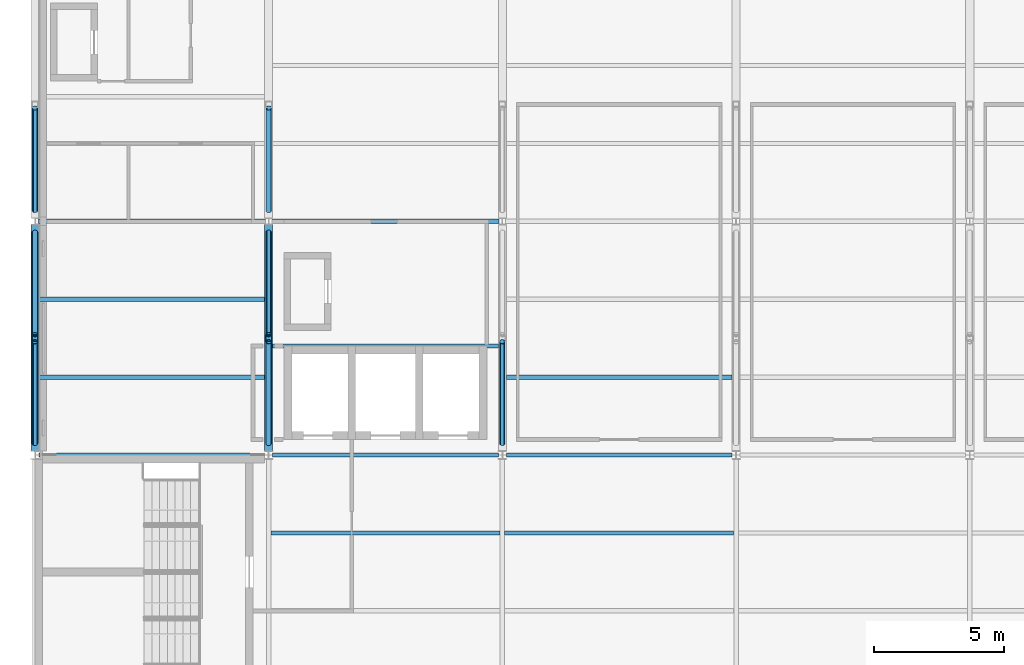
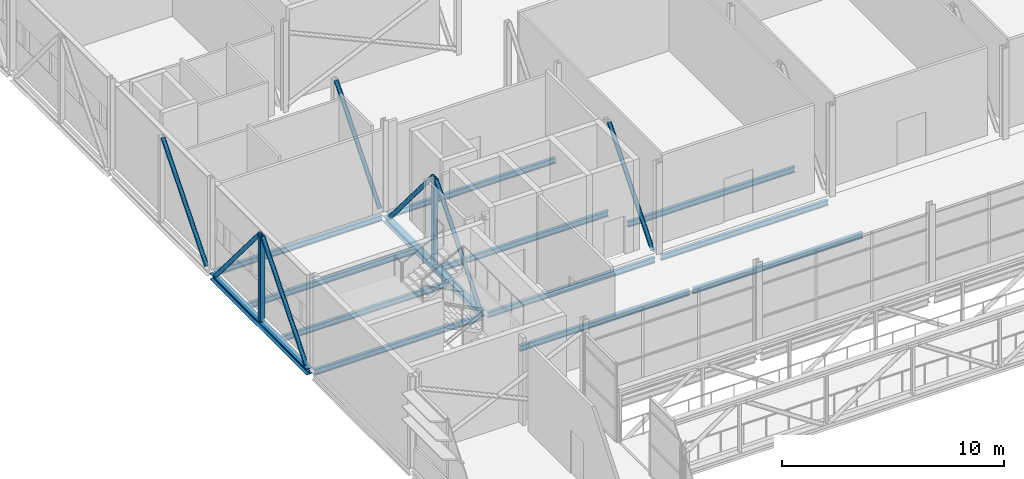
# One storey, part 55 of 94: 13 beams, 9 members.
"""IFC4 building model written with IfcOpenShell, lengths in metres."""

from ifc_helpers import new_model, si_unit, direction, frame, origin, origin_2d, place, context, subcontext, project, spatial, hollow_rectangle, hollow_circle, i_section, extrude, material, material_profile, profile_set, type_object, element, save


model = new_model("IFC4")

# Units and contexts
model_context = context("Model", 3, precision=1e-05, world=origin(), true_north=direction((0.0, 1.0)))
body_context = subcontext(model_context, "Body", "Model", "MODEL_VIEW")
ifc_project = project(units=[si_unit("LENGTHUNIT", "METRE"), si_unit("AREAUNIT", "SQUARE_METRE"), si_unit("VOLUMEUNIT", "CUBIC_METRE"), si_unit("PLANEANGLEUNIT", "RADIAN"), si_unit("MASSUNIT", "GRAM", prefix="KILO")], contexts=[model_context])

# Site, building, storey
site_placement = place(None, origin())
site = spatial("IfcSite", under=ifc_project, at=site_placement, CompositionType="ELEMENT")
building_placement = place(site_placement, origin())
building = spatial("IfcBuilding", under=site, at=building_placement, Name="Shorebreak Coast Museum", CompositionType="ELEMENT")
storey_placement = place(building_placement, frame((0.0, 0.0, 31.0)))
storey = spatial("IfcBuildingStorey", under=building, at=storey_placement, Name="L05", CompositionType="ELEMENT", Elevation=31.0)

# Beams
ifc_material_1 = material(Name="Steel Grade 300", Category="steel")
ifc_material_profile_1 = material_profile(ifc_material_1, i_section(OverallWidth=0.166015625, OverallDepth=0.30712890625, WebThickness=0.006591796875, FlangeThickness=0.01171875, FilletRadius=0.011474609375, at=origin_2d()), Name="310UB46.2")
ifc_profile_set_1 = profile_set([ifc_material_profile_1], Name="Steel Grade 300")
beam_type_1 = type_object("IfcBeamType", Name="Floor girder east-west 310UB46.2", PredefinedType="BEAM", material=ifc_profile_set_1)
for number, where, z_axis, x_axis, name in (
    (1, (54.155517578125, 90.0, -0.32861328125), (1.0, 0.0, 0.0), (0.0, 1.0, 0.0), "Floor girder east-west L05 7L"),
    (2, (63.155517578125, 90.0, -0.32861328125), (1.0, 0.0, 0.0), (0.0, 1.0, 0.0), "Floor girder east-west L05 8L"),
    (3, (72.155517578125, 90.0, -0.32861328125), (1.0, 0.0, 0.0), (0.0, 1.0, 0.0), "Floor girder east-west L05 9L"),
):
    element("IfcBeam", number, at=place(storey_placement, frame(where, z_axis=z_axis, x_axis=x_axis)), inside=storey, type_object=beam_type_1, Name=name, PredefinedType="BEAM", context=body_context, shape_type="SweptSolid", body=[
        extrude(i_section(OverallWidth=0.166015625, OverallDepth=0.30712890625, WebThickness=0.006591796875, FlangeThickness=0.01171875, FilletRadius=0.011474609375, at=origin_2d()), origin(), (0.0, 0.0, 1.0), 8.68896484375),
    ])
for number, where, z_axis, x_axis, name in (
    (4, (54.1279296875, 99.0, -0.32861328125), (1.0, 0.0, 0.0), (0.0, 1.0, 0.0), "Floor girder east-west L05 7M"),
    (5, (63.1279296875, 99.0, -0.32861328125), (1.0, 0.0, 0.0), (0.0, 1.0, 0.0), "Floor girder east-west L05 8M"),
):
    element("IfcBeam", number, at=place(storey_placement, frame(where, z_axis=z_axis, x_axis=x_axis)), inside=storey, type_object=beam_type_1, Name=name, PredefinedType="BEAM", context=body_context, shape_type="SweptSolid", body=[
        extrude(i_section(OverallWidth=0.166015625, OverallDepth=0.30712890625, WebThickness=0.006591796875, FlangeThickness=0.01171875, FilletRadius=0.011474609375, at=origin_2d()), origin(), (0.0, 0.0, 1.0), 8.744140625),
    ])
ifc_material_2 = material(Name="Steel Grade 300", Category="steel")
ifc_material_profile_2 = material_profile(ifc_material_2, i_section(OverallWidth=0.1650390625, OverallDepth=0.303955078125, WebThickness=0.006103515625, FlangeThickness=0.01025390625, FilletRadius=0.011474609375, at=origin_2d()), Name="310UB40.4")
ifc_profile_set_2 = profile_set([ifc_material_profile_2], Name="Steel Grade 300")
beam_type_2 = type_object("IfcBeamType", Name="Floor joist 310UB40.4", PredefinedType="JOIST", material=ifc_profile_set_2)
for number, where, z_axis, x_axis, name in (
    (6, (63.089111328125, 87.0, -0.326904296875), (1.0, 0.0, 0.0), (0.0, 1.0, 0.0), "Floor joist L05 bay 8K at 6000 mm"),
    (7, (72.089111328125, 87.0, -0.326904296875), (1.0, 0.0, 0.0), (0.0, 1.0, 0.0), "Floor joist L05 bay 9K at 6000 mm"),
):
    element("IfcBeam", number, at=place(storey_placement, frame(where, z_axis=z_axis, x_axis=x_axis)), inside=storey, type_object=beam_type_2, Name=name, PredefinedType="JOIST", context=body_context, shape_type="SweptSolid", body=[
        extrude(i_section(OverallWidth=0.1650390625, OverallDepth=0.303955078125, WebThickness=0.006103515625, FlangeThickness=0.01025390625, FilletRadius=0.011474609375, at=origin_2d()), origin(), (0.0, 0.0, 1.0), 8.82177734375),
    ])
for number, where, z_axis, x_axis, name in (
    (8, (54.155517578125, 93.0, -0.326904296875), (1.0, 0.0, 0.0), (0.0, 1.0, 0.0), "Floor joist L05 bay 7L at 3000 mm"),
    (9, (54.155517578125, 96.0, -0.326904296875), (1.0, 0.0, 0.0), (0.0, 1.0, 0.0), "Floor joist L05 bay 7L at 6000 mm"),
    (10, (63.155517578125, 94.199951171875, -0.326904296875), (1.0, 0.0, 0.0), (0.0, 1.0, 0.0), "Floor joist L05 bay 8L at 4200 mm"),
    (11, (72.155517578125, 93.0, -0.326904296875), (1.0, 0.0, 0.0), (0.0, 1.0, 0.0), "Floor joist L05 bay 9L at 3000 mm"),
):
    element("IfcBeam", number, at=place(storey_placement, frame(where, z_axis=z_axis, x_axis=x_axis)), inside=storey, type_object=beam_type_2, Name=name, PredefinedType="JOIST", context=body_context, shape_type="SweptSolid", body=[
        extrude(i_section(OverallWidth=0.1650390625, OverallDepth=0.303955078125, WebThickness=0.006103515625, FlangeThickness=0.01025390625, FilletRadius=0.011474609375, at=origin_2d()), origin(), (0.0, 0.0, 1.0), 8.68896484375),
    ])
ifc_material_3 = material(Name="Steel Grade 300", Category="steel")
ifc_material_profile_3 = material_profile(ifc_material_3, i_section(OverallWidth=0.31103515625, OverallDepth=0.3271484375, WebThickness=0.015625, FlangeThickness=0.02490234375, FilletRadius=0.0166015625, at=origin_2d()), Name="310UC158")
ifc_profile_set_3 = profile_set([ifc_material_profile_3], Name="Steel Grade 300")
beam_type_3 = type_object("IfcBeamType", Name="Transfer truss chord 310UC158", PredefinedType="BEAM", material=ifc_profile_set_3)
for number, where, z_axis, x_axis, name in (
    (12, (54.0, 90.16357421875, -0.338623046875), (0.0, 1.0, 0.0), (-1.0, 0.0, 0.0), "Transfer truss TR1 chord C01"),
    (13, (63.0, 90.16357421875, -0.338623046875), (0.0, 1.0, 0.0), (-1.0, 0.0, 0.0), "Transfer truss TR2 chord C01"),
):
    element("IfcBeam", number, at=place(storey_placement, frame(where, z_axis=z_axis, x_axis=x_axis)), inside=storey, type_object=beam_type_3, Name=name, PredefinedType="BEAM", context=body_context, shape_type="SweptSolid", body=[
        extrude(i_section(OverallWidth=0.31103515625, OverallDepth=0.3271484375, WebThickness=0.015625, FlangeThickness=0.02490234375, FilletRadius=0.0166015625, at=origin_2d()), origin(), (0.0, 0.0, 1.0), 8.70654296875),
    ])

# Members
ifc_material_4 = material(Name="Steel Grade C350L0", Category="steel")
ifc_material_profile_4 = material_profile(ifc_material_4, hollow_circle(Radius=0.109619140625, WallThickness=0.00830078125, at=origin_2d()), Name="219.1x8.2 CHS")
ifc_profile_set_4 = profile_set([ifc_material_profile_4], Name="Steel Grade C350L0")
member_type_1 = type_object("IfcMemberType", Name="Transfer truss diagonal 219.1x8.2 CHS", PredefinedType="BRACE", material=ifc_profile_set_4)
member_1_placement = place(storey_placement, frame((54.0, 90.450439453125, -0.175048828125), z_axis=(0.0, 0.641729837353, 0.76693077644), x_axis=(-1.0, 0.0, 0.0)))
element("IfcMember", 14, at=member_1_placement, inside=storey, type_object=member_type_1, Name="Transfer truss TR1 diagonal D01", PredefinedType="BRACE", context=body_context, shape_type="SweptSolid", body=[
    extrude(hollow_circle(Radius=0.109619140625, WallThickness=0.00830078125, at=origin_2d()), origin(), (0.0, 0.0, 1.0), 6.1015625),
])
for number, where, z_axis, x_axis, name in (
    (15, (54.0, 98.58203125, -0.175048828125), (0.0, -0.644727508452, 0.764412480174), (1.0, 0.0, 0.0), "Transfer truss TR1 diagonal D02"),
    (16, (54.0, 99.41796875, -0.175048828125), (0.0, 0.644727508452, 0.764412480174), (-1.0, 0.0, 0.0), "Transfer truss TR1 diagonal D03"),
):
    element("IfcMember", number, at=place(storey_placement, frame(where, z_axis=z_axis, x_axis=x_axis)), inside=storey, type_object=member_type_1, Name=name, PredefinedType="BRACE", context=body_context, shape_type="SweptSolid", body=[
        extrude(hollow_circle(Radius=0.109619140625, WallThickness=0.00830078125, at=origin_2d()), origin(), (0.0, 0.0, 1.0), 6.12158203125),
    ])
member_2_placement = place(storey_placement, frame((63.0, 90.450439453125, -0.175048828125), z_axis=(0.0, 0.641729837353, 0.76693077644), x_axis=(-1.0, 0.0, 0.0)))
element("IfcMember", 17, at=member_2_placement, inside=storey, type_object=member_type_1, Name="Transfer truss TR2 diagonal D01", PredefinedType="BRACE", context=body_context, shape_type="SweptSolid", body=[
    extrude(hollow_circle(Radius=0.109619140625, WallThickness=0.00830078125, at=origin_2d()), origin(), (0.0, 0.0, 1.0), 6.1015625),
])
for number, where, z_axis, x_axis, name in (
    (18, (63.0, 98.58203125, -0.175048828125), (0.0, -0.644727508452, 0.764412480174), (1.0, 0.0, 0.0), "Transfer truss TR2 diagonal D02"),
    (19, (63.0, 99.41796875, -0.175048828125), (0.0, 0.644727508452, 0.764412480174), (-1.0, 0.0, 0.0), "Transfer truss TR2 diagonal D03"),
):
    element("IfcMember", number, at=place(storey_placement, frame(where, z_axis=z_axis, x_axis=x_axis)), inside=storey, type_object=member_type_1, Name=name, PredefinedType="BRACE", context=body_context, shape_type="SweptSolid", body=[
        extrude(hollow_circle(Radius=0.109619140625, WallThickness=0.00830078125, at=origin_2d()), origin(), (0.0, 0.0, 1.0), 6.12158203125),
    ])
member_3_placement = place(storey_placement, frame((72.0, 90.450439453125, -0.175048828125), z_axis=(0.0, 0.641729837353, 0.76693077644), x_axis=(-1.0, 0.0, 0.0)))
element("IfcMember", 20, at=member_3_placement, inside=storey, type_object=member_type_1, Name="Transfer truss TR3 diagonal D01", PredefinedType="BRACE", context=body_context, shape_type="SweptSolid", body=[
    extrude(hollow_circle(Radius=0.109619140625, WallThickness=0.00830078125, at=origin_2d()), origin(), (0.0, 0.0, 1.0), 6.1015625),
])
ifc_material_5 = material(Name="Steel Grade C450L0", Category="steel")
ifc_material_profile_5 = material_profile(ifc_material_5, hollow_rectangle(XDim=0.25, YDim=0.25, WallThickness=0.012451171875, InnerFilletRadius=0.018798828125, OuterFilletRadius=0.03125, at=origin_2d()), Name="250x250x12.5 SHS")
ifc_profile_set_5 = profile_set([ifc_material_profile_5], Name="Steel Grade C450L0")
member_type_2 = type_object("IfcMemberType", Name="Transfer truss strut 250x250x12.5 SHS", PredefinedType="STRUT", material=ifc_profile_set_5)
for number, where, z_axis, x_axis, name in (
    (21, (54.0, 94.5, -0.175048828125), (0.0, 0.0, 1.0), (1.0, 0.0, 0.0), "Transfer truss TR1 strut V01"),
    (22, (63.0, 94.5, -0.175048828125), (0.0, 0.0, 1.0), (1.0, 0.0, 0.0), "Transfer truss TR2 strut V01"),
):
    element("IfcMember", number, at=place(storey_placement, frame(where, z_axis=z_axis, x_axis=x_axis)), inside=storey, type_object=member_type_2, Name=name, PredefinedType="STRUT", context=body_context, shape_type="SweptSolid", body=[
        extrude(hollow_rectangle(XDim=0.25, YDim=0.25, WallThickness=0.012451171875, InnerFilletRadius=0.018798828125, OuterFilletRadius=0.03125, at=origin_2d()), origin(), (0.0, 0.0, 1.0), 4.679443359375),
    ])

save(model, "model.ifc")
